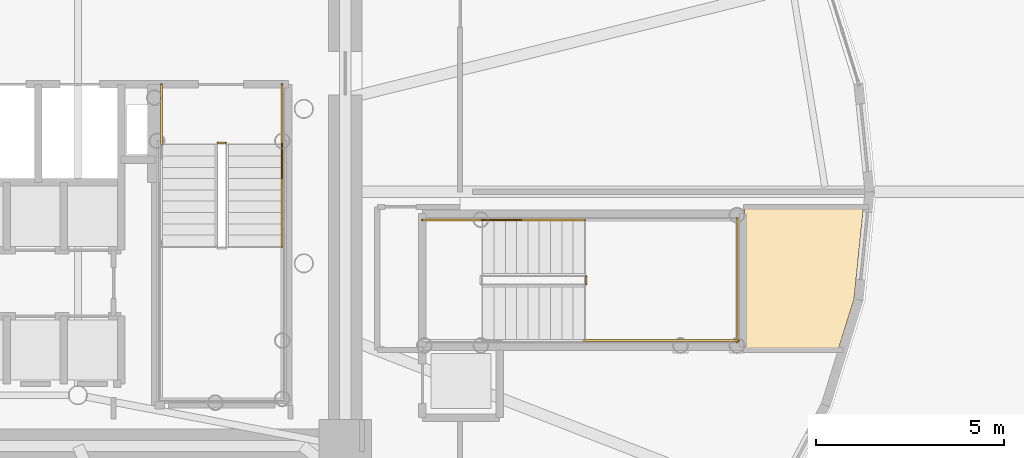
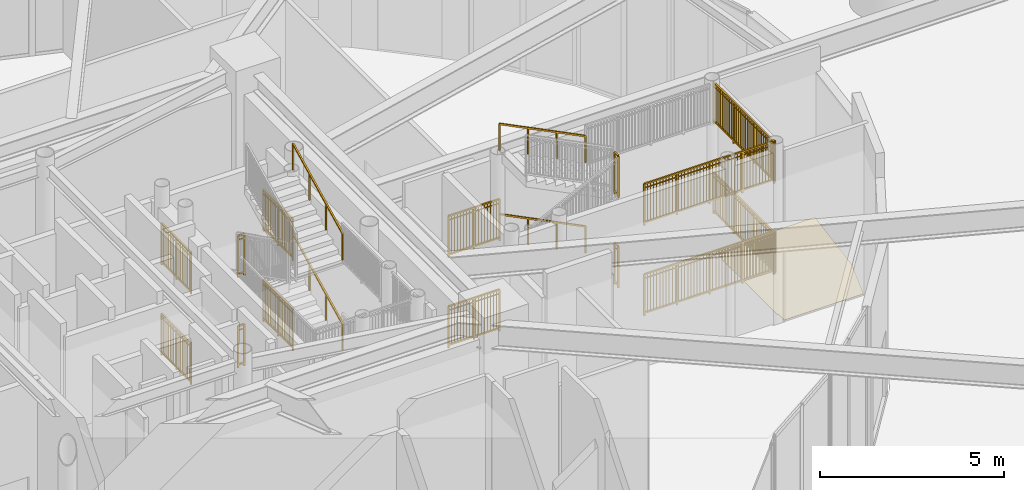
# One storey, part 43 of 46: 18 railings, 1 covering.
"""IFC4 building model written with IfcOpenShell, lengths in metres."""

from ifc_helpers import new_model, si_unit, direction, frame, origin, origin_2d, place, context, subcontext, project, spatial, polyline, rectangle, outline, extrude, source, transform, mapped, material, layer, layer_set, type_object, element, save


model = new_model("IFC4")

# Units and contexts
model_context = context("Model", 3, precision=1e-05, world=origin(), true_north=direction((0.0, 1.0)))
body_context = subcontext(model_context, "Body", "Model", "MODEL_VIEW")
ifc_project = project(units=[si_unit("LENGTHUNIT", "METRE"), si_unit("AREAUNIT", "SQUARE_METRE"), si_unit("VOLUMEUNIT", "CUBIC_METRE"), si_unit("PLANEANGLEUNIT", "RADIAN"), si_unit("MASSUNIT", "GRAM", prefix="KILO")], contexts=[model_context])

# Site, building, storey
site_placement = place(None, origin())
site = spatial("IfcSite", under=ifc_project, at=site_placement, CompositionType="ELEMENT")
building_placement = place(site_placement, origin())
building = spatial("IfcBuilding", under=site, at=building_placement, Name="Linh Dai School and Residence Tower", CompositionType="ELEMENT")
storey_placement = place(building_placement, origin())
storey = spatial("IfcBuildingStorey", under=building, at=storey_placement, Name="L00", CompositionType="ELEMENT", Elevation=0.0)

# Covering
ifc_material_1 = material(Name="Polished Terrazzo Floor Finish", Category="masonry")
ifc_layer = layer(ifc_material_1, 0.02490234375)
ifc_layer_set = layer_set([ifc_layer], Name="Polished Terrazzo Floor Finish")
covering_type = type_object("IfcCoveringType", Name="COV-FLR-TRZ-25", PredefinedType="FLOORING", material=ifc_layer_set)
covering_placement = place(storey_placement, origin())
element("IfcCovering", 1, at=covering_placement, inside=storey, type_object=covering_type, Name="L00 Protected Exit Stair STS2 Discharge Passage East Floor Finish", PredefinedType="FLOORING", context=body_context, shape_type="SweptSolid", body=[
    extrude(outline(polyline([(56.55322265625, 26.60009765625), (59.709228515625, 26.60009765625), (59.459716796875, 24.15625), (59.037109375, 22.800048828125), (56.55322265625, 22.800048828125), (56.55322265625, 23.123291015625), (56.52001953125, 23.123291015625), (56.52001953125, 26.1767578125), (56.55322265625, 26.1767578125), (56.55322265625, 26.60009765625)])), origin(), (0.0, 0.0, 1.0), 0.02001953125),
])

# Railings
ifc_material_2 = material(Name="Brushed Stainless Steel Handrail", Category="steel")
railing_type_1 = type_object("IfcRailingType", Name="RL-ST-HANDRAIL-900", PredefinedType="HANDRAIL", material=ifc_material_2)
shared_shape_1 = source(origin(), body_context, "Body", "SweptSolid", [
    extrude(rectangle(XDim=0.048095703125, YDim=0.048095703125, at=origin_2d()), frame((0.0, 0.0, 0.8759765625), z_axis=(0.0, 0.894411015155, 0.447245945728), x_axis=(-1.0, 0.0, 0.0)), (0.0, 0.0, 1.0), 3.018798828125),
    extrude(rectangle(XDim=0.0419921875, YDim=0.0419921875, at=origin_2d()), origin(), (0.0, 0.0, 1.0), 0.8759765625),
    extrude(rectangle(XDim=0.0419921875, YDim=0.0419921875, at=origin_2d()), frame((0.0, 0.89990234375, 0.449951171875)), (0.0, 0.0, 1.0), 0.8759765625),
    extrude(rectangle(XDim=0.0419921875, YDim=0.0419921875, at=origin_2d()), frame((0.0, 1.800048828125, 0.900146484375)), (0.0, 0.0, 1.0), 0.8759765625),
    extrude(rectangle(XDim=0.0419921875, YDim=0.0419921875, at=origin_2d()), frame((0.0, 2.699951171875, 1.35009765625)), (0.0, 0.0, 1.0), 0.8759765625),
])
for number, where, name in (
    (2, (44.27001953125, 25.550048828125, 1.64990234375), "L00 ST2 stair handrail 2"),
    (3, (44.27001953125, 25.550048828125, 4.64990234375), "L00 ST2 stair handrail 4"),
):
    element("IfcRailing", number, at=place(storey_placement, frame(where)), inside=storey, type_object=railing_type_1, Name=name, PredefinedType="HANDRAIL", context=body_context, shape_type="MappedRepresentation", body=[
        mapped(shared_shape_1, transform((0.0, 0.0, 0.0), x_axis=(1.0, 0.0, 0.0), y_axis=(0.0, 1.0, 0.0), z_axis=(0.0, 0.0, 1.0), scale=1.0)),
    ])
ifc_material_3 = material(Name="Structural Steel S355JR", Category="steel")
railing_type_2 = type_object("IfcRailingType", Name="RL-ST-GUARD-1400", PredefinedType="GUARDRAIL", material=ifc_material_3)
shared_shape_2 = source(origin(), body_context, "Body", "SweptSolid", [
    extrude(rectangle(XDim=0.048095703125, YDim=0.048095703125, at=origin_2d()), frame((0.0, 0.0, 1.3759765625), z_axis=(1.0, 0.0, 0.0), x_axis=(0.0, 1.0, 0.0)), (0.0, 0.0, 1.0), 0.199951171875),
    extrude(rectangle(XDim=0.048095703125, YDim=0.048095703125, at=origin_2d()), frame((0.0, 0.0, 0.10009765625), z_axis=(1.0, 0.0, 0.0), x_axis=(0.0, 1.0, 0.0)), (0.0, 0.0, 1.0), 0.199951171875),
    extrude(rectangle(XDim=0.030029296875, YDim=0.030029296875, at=origin_2d()), frame((0.0, 0.0, 1.239990234375), z_axis=(1.0, 0.0, 0.0), x_axis=(0.0, 1.0, 0.0)), (0.0, 0.0, 1.0), 0.199951171875),
    extrude(rectangle(XDim=0.0419921875, YDim=0.0419921875, at=origin_2d()), origin(), (0.0, 0.0, 1.0), 1.3759765625),
    extrude(rectangle(XDim=0.0419921875, YDim=0.0419921875, at=origin_2d()), frame((0.199951171875, 0.0, 0.0)), (0.0, 0.0, 1.0), 1.3759765625),
])
for number, where, name in (
    (4, (42.570068359375, 28.300048828125, 3.0), "L00 ST2 stair guard 7"),
    (5, (42.570068359375, 28.300048828125, 0.0), "L00 ST2 stair guard 16"),
):
    element("IfcRailing", number, at=place(storey_placement, frame(where)), inside=storey, type_object=railing_type_2, Name=name, PredefinedType="GUARDRAIL", context=body_context, shape_type="MappedRepresentation", body=[
        mapped(shared_shape_2, transform((0.0, 0.0, 0.0), x_axis=(1.0, 0.0, 0.0), y_axis=(0.0, 1.0, 0.0), z_axis=(0.0, 0.0, 1.0), scale=1.0)),
    ])
shared_shape_3 = source(origin(), body_context, "Body", "SweptSolid", [
    extrude(rectangle(XDim=0.048095703125, YDim=0.048095703125, at=origin_2d()), frame((0.0, 0.0, 1.3759765625), z_axis=(0.0, -1.0, 0.0), x_axis=(1.0, 0.0, 0.0)), (0.0, 0.0, 1.0), 1.60009765625),
    extrude(rectangle(XDim=0.048095703125, YDim=0.048095703125, at=origin_2d()), frame((0.0, 0.0, 0.10009765625), z_axis=(0.0, -1.0, 0.0), x_axis=(1.0, 0.0, 0.0)), (0.0, 0.0, 1.0), 1.60009765625),
    extrude(rectangle(XDim=0.030029296875, YDim=0.030029296875, at=origin_2d()), frame((0.0, 0.0, 1.239990234375), z_axis=(0.0, -1.0, 0.0), x_axis=(1.0, 0.0, 0.0)), (0.0, 0.0, 1.0), 1.60009765625),
    extrude(rectangle(XDim=0.02001953125, YDim=0.02001953125, at=origin_2d()), frame((0.0, -0.09423828125, 0.10009765625)), (0.0, 0.0, 1.0), 1.251708984375),
    extrude(rectangle(XDim=0.02001953125, YDim=0.02001953125, at=origin_2d()), frame((0.0, -0.188232421875, 0.10009765625)), (0.0, 0.0, 1.0), 1.251708984375),
    extrude(rectangle(XDim=0.02001953125, YDim=0.02001953125, at=origin_2d()), frame((0.0, -0.282470703125, 0.10009765625)), (0.0, 0.0, 1.0), 1.251708984375),
    extrude(rectangle(XDim=0.02001953125, YDim=0.02001953125, at=origin_2d()), frame((0.0, -0.37646484375, 0.10009765625)), (0.0, 0.0, 1.0), 1.251708984375),
    extrude(rectangle(XDim=0.02001953125, YDim=0.02001953125, at=origin_2d()), frame((0.0, -0.470703125, 0.10009765625)), (0.0, 0.0, 1.0), 1.251708984375),
    extrude(rectangle(XDim=0.02001953125, YDim=0.02001953125, at=origin_2d()), frame((0.0, -0.564697265625, 0.10009765625)), (0.0, 0.0, 1.0), 1.251708984375),
    extrude(rectangle(XDim=0.02001953125, YDim=0.02001953125, at=origin_2d()), frame((0.0, -0.658935546875, 0.10009765625)), (0.0, 0.0, 1.0), 1.251708984375),
    extrude(rectangle(XDim=0.02001953125, YDim=0.02001953125, at=origin_2d()), frame((0.0, -0.7529296875, 0.10009765625)), (0.0, 0.0, 1.0), 1.251708984375),
    extrude(rectangle(XDim=0.02001953125, YDim=0.02001953125, at=origin_2d()), frame((0.0, -0.84716796875, 0.10009765625)), (0.0, 0.0, 1.0), 1.251708984375),
    extrude(rectangle(XDim=0.02001953125, YDim=0.02001953125, at=origin_2d()), frame((0.0, -0.941162109375, 0.10009765625)), (0.0, 0.0, 1.0), 1.251708984375),
    extrude(rectangle(XDim=0.02001953125, YDim=0.02001953125, at=origin_2d()), frame((0.0, -1.035400390625, 0.10009765625)), (0.0, 0.0, 1.0), 1.251708984375),
    extrude(rectangle(XDim=0.02001953125, YDim=0.02001953125, at=origin_2d()), frame((0.0, -1.12939453125, 0.10009765625)), (0.0, 0.0, 1.0), 1.251708984375),
    extrude(rectangle(XDim=0.02001953125, YDim=0.02001953125, at=origin_2d()), frame((0.0, -1.2236328125, 0.10009765625)), (0.0, 0.0, 1.0), 1.251708984375),
    extrude(rectangle(XDim=0.02001953125, YDim=0.02001953125, at=origin_2d()), frame((0.0, -1.317626953125, 0.10009765625)), (0.0, 0.0, 1.0), 1.251708984375),
    extrude(rectangle(XDim=0.02001953125, YDim=0.02001953125, at=origin_2d()), frame((0.0, -1.411865234375, 0.10009765625)), (0.0, 0.0, 1.0), 1.251708984375),
    extrude(rectangle(XDim=0.02001953125, YDim=0.02001953125, at=origin_2d()), frame((0.0, -1.505859375, 0.10009765625)), (0.0, 0.0, 1.0), 1.251708984375),
    extrude(rectangle(XDim=0.0419921875, YDim=0.0419921875, at=origin_2d()), origin(), (0.0, 0.0, 1.0), 1.3759765625),
    extrude(rectangle(XDim=0.0419921875, YDim=0.0419921875, at=origin_2d()), frame((0.0, -0.800048828125, 0.0)), (0.0, 0.0, 1.0), 1.3759765625),
    extrude(rectangle(XDim=0.0419921875, YDim=0.0419921875, at=origin_2d()), frame((0.0, -1.60009765625, 0.0)), (0.0, 0.0, 1.0), 1.3759765625),
])
for number, where, name in (
    (6, (41.070068359375, 29.85009765625, 3.0), "L00 ST2 stair guard 8"),
    (7, (44.27001953125, 29.85009765625, 3.0), "L00 ST2 stair guard 9"),
    (8, (41.070068359375, 29.85009765625, 0.0), "L00 ST2 stair guard 17"),
    (9, (44.27001953125, 29.85009765625, 0.0), "L00 ST2 stair guard 18"),
):
    element("IfcRailing", number, at=place(storey_placement, frame(where)), inside=storey, type_object=railing_type_2, Name=name, PredefinedType="GUARDRAIL", context=body_context, shape_type="MappedRepresentation", body=[
        mapped(shared_shape_3, transform((0.0, 0.0, 0.0), x_axis=(1.0, 0.0, 0.0), y_axis=(0.0, 1.0, 0.0), z_axis=(0.0, 0.0, 1.0), scale=1.0)),
    ])
shared_shape_4 = source(origin(), body_context, "Body", "SweptSolid", [
    extrude(rectangle(XDim=0.048095703125, YDim=0.048095703125, at=origin_2d()), frame((0.0, 0.0, 0.8759765625), z_axis=(-0.894411015155, 0.0, 0.447245945728), x_axis=(0.0, -1.0, 0.0)), (0.0, 0.0, 1.0), 3.018798828125),
    extrude(rectangle(XDim=0.0419921875, YDim=0.0419921875, at=origin_2d()), origin(), (0.0, 0.0, 1.0), 0.8759765625),
    extrude(rectangle(XDim=0.0419921875, YDim=0.0419921875, at=origin_2d()), frame((-0.89990234375, 0.0, 0.449951171875)), (0.0, 0.0, 1.0), 0.8759765625),
    extrude(rectangle(XDim=0.0419921875, YDim=0.0419921875, at=origin_2d()), frame((-1.800048828125, 0.0, 0.900146484375)), (0.0, 0.0, 1.0), 0.8759765625),
    extrude(rectangle(XDim=0.0419921875, YDim=0.0419921875, at=origin_2d()), frame((-2.699951171875, 0.0, 1.35009765625)), (0.0, 0.0, 1.0), 0.8759765625),
])
for number, where, name in (
    (10, (52.300048828125, 26.25, 1.64990234375), "L00 STS2 stair handrail 2"),
    (11, (52.300048828125, 26.25, 4.64990234375), "L00 STS2 stair handrail 4"),
):
    element("IfcRailing", number, at=place(storey_placement, frame(where)), inside=storey, type_object=railing_type_1, Name=name, PredefinedType="HANDRAIL", context=body_context, shape_type="MappedRepresentation", body=[
        mapped(shared_shape_4, transform((0.0, 0.0, 0.0), x_axis=(1.0, 0.0, 0.0), y_axis=(0.0, 1.0, 0.0), z_axis=(0.0, 0.0, 1.0), scale=1.0)),
    ])
shared_shape_5 = source(origin(), body_context, "Body", "SweptSolid", [
    extrude(rectangle(XDim=0.048095703125, YDim=0.048095703125, at=origin_2d()), frame((0.0, 0.0, 1.3759765625), z_axis=(0.0, 1.0, 0.0), x_axis=(-1.0, 0.0, 0.0)), (0.0, 0.0, 1.0), 0.199951171875),
    extrude(rectangle(XDim=0.048095703125, YDim=0.048095703125, at=origin_2d()), frame((0.0, 0.0, 0.10009765625), z_axis=(0.0, 1.0, 0.0), x_axis=(-1.0, 0.0, 0.0)), (0.0, 0.0, 1.0), 0.199951171875),
    extrude(rectangle(XDim=0.030029296875, YDim=0.030029296875, at=origin_2d()), frame((0.0, 0.0, 1.239990234375), z_axis=(0.0, 1.0, 0.0), x_axis=(-1.0, 0.0, 0.0)), (0.0, 0.0, 1.0), 0.199951171875),
    extrude(rectangle(XDim=0.0419921875, YDim=0.0419921875, at=origin_2d()), origin(), (0.0, 0.0, 1.0), 1.3759765625),
    extrude(rectangle(XDim=0.0419921875, YDim=0.0419921875, at=origin_2d()), frame((0.0, 0.199951171875, 0.0)), (0.0, 0.0, 1.0), 1.3759765625),
])
for number, where, name in (
    (12, (52.35009765625, 24.550048828125, 1.5), "L00 STS2 stair guard 2"),
    (13, (52.35009765625, 24.550048828125, 4.5), "L00 STS2 stair guard 11"),
):
    element("IfcRailing", number, at=place(storey_placement, frame(where)), inside=storey, type_object=railing_type_2, Name=name, PredefinedType="GUARDRAIL", context=body_context, shape_type="MappedRepresentation", body=[
        mapped(shared_shape_5, transform((0.0, 0.0, 0.0), x_axis=(1.0, 0.0, 0.0), y_axis=(0.0, 1.0, 0.0), z_axis=(0.0, 0.0, 1.0), scale=1.0)),
    ])
shared_shape_6 = source(origin(), body_context, "Body", "SweptSolid", [
    extrude(rectangle(XDim=0.048095703125, YDim=0.048095703125, at=origin_2d()), frame((0.0, 0.0, 1.3759765625), z_axis=(1.0, 0.0, 0.0), x_axis=(0.0, 1.0, 0.0)), (0.0, 0.0, 1.0), 4.099853515625),
    extrude(rectangle(XDim=0.048095703125, YDim=0.048095703125, at=origin_2d()), frame((0.0, 0.0, 0.10009765625), z_axis=(1.0, 0.0, 0.0), x_axis=(0.0, 1.0, 0.0)), (0.0, 0.0, 1.0), 4.099853515625),
    extrude(rectangle(XDim=0.030029296875, YDim=0.030029296875, at=origin_2d()), frame((0.0, 0.0, 1.239990234375), z_axis=(1.0, 0.0, 0.0), x_axis=(0.0, 1.0, 0.0)), (0.0, 0.0, 1.0), 4.099853515625),
    extrude(rectangle(XDim=0.02001953125, YDim=0.02001953125, at=origin_2d()), frame((0.09765625, 0.0, 0.10009765625)), (0.0, 0.0, 1.0), 1.251708984375),
    extrude(rectangle(XDim=0.02001953125, YDim=0.02001953125, at=origin_2d()), frame((0.1953125, 0.0, 0.10009765625)), (0.0, 0.0, 1.0), 1.251708984375),
    extrude(rectangle(XDim=0.02001953125, YDim=0.02001953125, at=origin_2d()), frame((0.29296875, 0.0, 0.10009765625)), (0.0, 0.0, 1.0), 1.251708984375),
    extrude(rectangle(XDim=0.02001953125, YDim=0.02001953125, at=origin_2d()), frame((0.390380859375, 0.0, 0.10009765625)), (0.0, 0.0, 1.0), 1.251708984375),
    extrude(rectangle(XDim=0.02001953125, YDim=0.02001953125, at=origin_2d()), frame((0.488037109375, 0.0, 0.10009765625)), (0.0, 0.0, 1.0), 1.251708984375),
    extrude(rectangle(XDim=0.02001953125, YDim=0.02001953125, at=origin_2d()), frame((0.585693359375, 0.0, 0.10009765625)), (0.0, 0.0, 1.0), 1.251708984375),
    extrude(rectangle(XDim=0.02001953125, YDim=0.02001953125, at=origin_2d()), frame((0.683349609375, 0.0, 0.10009765625)), (0.0, 0.0, 1.0), 1.251708984375),
    extrude(rectangle(XDim=0.02001953125, YDim=0.02001953125, at=origin_2d()), frame((0.781005859375, 0.0, 0.10009765625)), (0.0, 0.0, 1.0), 1.251708984375),
    extrude(rectangle(XDim=0.02001953125, YDim=0.02001953125, at=origin_2d()), frame((0.87841796875, 0.0, 0.10009765625)), (0.0, 0.0, 1.0), 1.251708984375),
    extrude(rectangle(XDim=0.02001953125, YDim=0.02001953125, at=origin_2d()), frame((0.97607421875, 0.0, 0.10009765625)), (0.0, 0.0, 1.0), 1.251708984375),
    extrude(rectangle(XDim=0.02001953125, YDim=0.02001953125, at=origin_2d()), frame((1.07373046875, 0.0, 0.10009765625)), (0.0, 0.0, 1.0), 1.251708984375),
    extrude(rectangle(XDim=0.02001953125, YDim=0.02001953125, at=origin_2d()), frame((1.17138671875, 0.0, 0.10009765625)), (0.0, 0.0, 1.0), 1.251708984375),
    extrude(rectangle(XDim=0.02001953125, YDim=0.02001953125, at=origin_2d()), frame((1.26904296875, 0.0, 0.10009765625)), (0.0, 0.0, 1.0), 1.251708984375),
    extrude(rectangle(XDim=0.02001953125, YDim=0.02001953125, at=origin_2d()), frame((1.36669921875, 0.0, 0.10009765625)), (0.0, 0.0, 1.0), 1.251708984375),
    extrude(rectangle(XDim=0.02001953125, YDim=0.02001953125, at=origin_2d()), frame((1.46435546875, 0.0, 0.10009765625)), (0.0, 0.0, 1.0), 1.251708984375),
    extrude(rectangle(XDim=0.02001953125, YDim=0.02001953125, at=origin_2d()), frame((1.561767578125, 0.0, 0.10009765625)), (0.0, 0.0, 1.0), 1.251708984375),
    extrude(rectangle(XDim=0.02001953125, YDim=0.02001953125, at=origin_2d()), frame((1.659423828125, 0.0, 0.10009765625)), (0.0, 0.0, 1.0), 1.251708984375),
    extrude(rectangle(XDim=0.02001953125, YDim=0.02001953125, at=origin_2d()), frame((1.757080078125, 0.0, 0.10009765625)), (0.0, 0.0, 1.0), 1.251708984375),
    extrude(rectangle(XDim=0.02001953125, YDim=0.02001953125, at=origin_2d()), frame((1.854736328125, 0.0, 0.10009765625)), (0.0, 0.0, 1.0), 1.251708984375),
    extrude(rectangle(XDim=0.02001953125, YDim=0.02001953125, at=origin_2d()), frame((1.952392578125, 0.0, 0.10009765625)), (0.0, 0.0, 1.0), 1.251708984375),
    extrude(rectangle(XDim=0.02001953125, YDim=0.02001953125, at=origin_2d()), frame((2.1474609375, 0.0, 0.10009765625)), (0.0, 0.0, 1.0), 1.251708984375),
    extrude(rectangle(XDim=0.02001953125, YDim=0.02001953125, at=origin_2d()), frame((2.2451171875, 0.0, 0.10009765625)), (0.0, 0.0, 1.0), 1.251708984375),
    extrude(rectangle(XDim=0.02001953125, YDim=0.02001953125, at=origin_2d()), frame((2.3427734375, 0.0, 0.10009765625)), (0.0, 0.0, 1.0), 1.251708984375),
    extrude(rectangle(XDim=0.02001953125, YDim=0.02001953125, at=origin_2d()), frame((2.4404296875, 0.0, 0.10009765625)), (0.0, 0.0, 1.0), 1.251708984375),
    extrude(rectangle(XDim=0.02001953125, YDim=0.02001953125, at=origin_2d()), frame((2.5380859375, 0.0, 0.10009765625)), (0.0, 0.0, 1.0), 1.251708984375),
    extrude(rectangle(XDim=0.02001953125, YDim=0.02001953125, at=origin_2d()), frame((2.6357421875, 0.0, 0.10009765625)), (0.0, 0.0, 1.0), 1.251708984375),
    extrude(rectangle(XDim=0.02001953125, YDim=0.02001953125, at=origin_2d()), frame((2.733154296875, 0.0, 0.10009765625)), (0.0, 0.0, 1.0), 1.251708984375),
    extrude(rectangle(XDim=0.02001953125, YDim=0.02001953125, at=origin_2d()), frame((2.830810546875, 0.0, 0.10009765625)), (0.0, 0.0, 1.0), 1.251708984375),
    extrude(rectangle(XDim=0.02001953125, YDim=0.02001953125, at=origin_2d()), frame((2.928466796875, 0.0, 0.10009765625)), (0.0, 0.0, 1.0), 1.251708984375),
    extrude(rectangle(XDim=0.02001953125, YDim=0.02001953125, at=origin_2d()), frame((3.026123046875, 0.0, 0.10009765625)), (0.0, 0.0, 1.0), 1.251708984375),
    extrude(rectangle(XDim=0.02001953125, YDim=0.02001953125, at=origin_2d()), frame((3.123779296875, 0.0, 0.10009765625)), (0.0, 0.0, 1.0), 1.251708984375),
    extrude(rectangle(XDim=0.02001953125, YDim=0.02001953125, at=origin_2d()), frame((3.22119140625, 0.0, 0.10009765625)), (0.0, 0.0, 1.0), 1.251708984375),
    extrude(rectangle(XDim=0.02001953125, YDim=0.02001953125, at=origin_2d()), frame((3.31884765625, 0.0, 0.10009765625)), (0.0, 0.0, 1.0), 1.251708984375),
    extrude(rectangle(XDim=0.02001953125, YDim=0.02001953125, at=origin_2d()), frame((3.41650390625, 0.0, 0.10009765625)), (0.0, 0.0, 1.0), 1.251708984375),
    extrude(rectangle(XDim=0.02001953125, YDim=0.02001953125, at=origin_2d()), frame((3.51416015625, 0.0, 0.10009765625)), (0.0, 0.0, 1.0), 1.251708984375),
    extrude(rectangle(XDim=0.02001953125, YDim=0.02001953125, at=origin_2d()), frame((3.61181640625, 0.0, 0.10009765625)), (0.0, 0.0, 1.0), 1.251708984375),
    extrude(rectangle(XDim=0.02001953125, YDim=0.02001953125, at=origin_2d()), frame((3.70947265625, 0.0, 0.10009765625)), (0.0, 0.0, 1.0), 1.251708984375),
    extrude(rectangle(XDim=0.02001953125, YDim=0.02001953125, at=origin_2d()), frame((3.80712890625, 0.0, 0.10009765625)), (0.0, 0.0, 1.0), 1.251708984375),
    extrude(rectangle(XDim=0.02001953125, YDim=0.02001953125, at=origin_2d()), frame((3.904541015625, 0.0, 0.10009765625)), (0.0, 0.0, 1.0), 1.251708984375),
    extrude(rectangle(XDim=0.02001953125, YDim=0.02001953125, at=origin_2d()), frame((4.002197265625, 0.0, 0.10009765625)), (0.0, 0.0, 1.0), 1.251708984375),
    extrude(rectangle(XDim=0.0419921875, YDim=0.0419921875, at=origin_2d()), origin(), (0.0, 0.0, 1.0), 1.3759765625),
    extrude(rectangle(XDim=0.0419921875, YDim=0.0419921875, at=origin_2d()), frame((1.02490234375, 0.0, 0.0)), (0.0, 0.0, 1.0), 1.3759765625),
    extrude(rectangle(XDim=0.0419921875, YDim=0.0419921875, at=origin_2d()), frame((2.0498046875, 0.0, 0.0)), (0.0, 0.0, 1.0), 1.3759765625),
    extrude(rectangle(XDim=0.0419921875, YDim=0.0419921875, at=origin_2d()), frame((3.074951171875, 0.0, 0.0)), (0.0, 0.0, 1.0), 1.3759765625),
    extrude(rectangle(XDim=0.0419921875, YDim=0.0419921875, at=origin_2d()), frame((4.099853515625, 0.0, 0.0)), (0.0, 0.0, 1.0), 1.3759765625),
])
for number, where, name in (
    (14, (52.300048828125, 23.050048828125, 1.5), "L00 STS2 stair guard 3"),
    (15, (52.300048828125, 23.050048828125, 4.5), "L00 STS2 stair guard 12"),
):
    element("IfcRailing", number, at=place(storey_placement, frame(where)), inside=storey, type_object=railing_type_2, Name=name, PredefinedType="GUARDRAIL", context=body_context, shape_type="MappedRepresentation", body=[
        mapped(shared_shape_6, transform((0.0, 0.0, 0.0), x_axis=(1.0, 0.0, 0.0), y_axis=(0.0, 1.0, 0.0), z_axis=(0.0, 0.0, 1.0), scale=1.0)),
    ])
shared_shape_7 = source(origin(), body_context, "Body", "SweptSolid", [
    extrude(rectangle(XDim=0.048095703125, YDim=0.048095703125, at=origin_2d()), frame((0.0, 0.0, 1.3759765625), z_axis=(0.0, 1.0, 0.0), x_axis=(-1.0, 0.0, 0.0)), (0.0, 0.0, 1.0), 3.300048828125),
    extrude(rectangle(XDim=0.048095703125, YDim=0.048095703125, at=origin_2d()), frame((0.0, 0.0, 0.10009765625), z_axis=(0.0, 1.0, 0.0), x_axis=(-1.0, 0.0, 0.0)), (0.0, 0.0, 1.0), 3.300048828125),
    extrude(rectangle(XDim=0.030029296875, YDim=0.030029296875, at=origin_2d()), frame((0.0, 0.0, 1.239990234375), z_axis=(0.0, 1.0, 0.0), x_axis=(-1.0, 0.0, 0.0)), (0.0, 0.0, 1.0), 3.300048828125),
    extrude(rectangle(XDim=0.02001953125, YDim=0.02001953125, at=origin_2d()), frame((0.0, 0.09716796875, 0.10009765625)), (0.0, 0.0, 1.0), 1.251708984375),
    extrude(rectangle(XDim=0.02001953125, YDim=0.02001953125, at=origin_2d()), frame((0.0, 0.194091796875, 0.10009765625)), (0.0, 0.0, 1.0), 1.251708984375),
    extrude(rectangle(XDim=0.02001953125, YDim=0.02001953125, at=origin_2d()), frame((0.0, 0.291259765625, 0.10009765625)), (0.0, 0.0, 1.0), 1.251708984375),
    extrude(rectangle(XDim=0.02001953125, YDim=0.02001953125, at=origin_2d()), frame((0.0, 0.38818359375, 0.10009765625)), (0.0, 0.0, 1.0), 1.251708984375),
    extrude(rectangle(XDim=0.02001953125, YDim=0.02001953125, at=origin_2d()), frame((0.0, 0.4853515625, 0.10009765625)), (0.0, 0.0, 1.0), 1.251708984375),
    extrude(rectangle(XDim=0.02001953125, YDim=0.02001953125, at=origin_2d()), frame((0.0, 0.582275390625, 0.10009765625)), (0.0, 0.0, 1.0), 1.251708984375),
    extrude(rectangle(XDim=0.02001953125, YDim=0.02001953125, at=origin_2d()), frame((0.0, 0.679443359375, 0.10009765625)), (0.0, 0.0, 1.0), 1.251708984375),
    extrude(rectangle(XDim=0.02001953125, YDim=0.02001953125, at=origin_2d()), frame((0.0, 0.7763671875, 0.10009765625)), (0.0, 0.0, 1.0), 1.251708984375),
    extrude(rectangle(XDim=0.02001953125, YDim=0.02001953125, at=origin_2d()), frame((0.0, 0.87353515625, 0.10009765625)), (0.0, 0.0, 1.0), 1.251708984375),
    extrude(rectangle(XDim=0.02001953125, YDim=0.02001953125, at=origin_2d()), frame((0.0, 0.970703125, 0.10009765625)), (0.0, 0.0, 1.0), 1.251708984375),
    extrude(rectangle(XDim=0.02001953125, YDim=0.02001953125, at=origin_2d()), frame((0.0, 1.164794921875, 0.10009765625)), (0.0, 0.0, 1.0), 1.251708984375),
    extrude(rectangle(XDim=0.02001953125, YDim=0.02001953125, at=origin_2d()), frame((0.0, 1.26171875, 0.10009765625)), (0.0, 0.0, 1.0), 1.251708984375),
    extrude(rectangle(XDim=0.02001953125, YDim=0.02001953125, at=origin_2d()), frame((0.0, 1.35888671875, 0.10009765625)), (0.0, 0.0, 1.0), 1.251708984375),
    extrude(rectangle(XDim=0.02001953125, YDim=0.02001953125, at=origin_2d()), frame((0.0, 1.455810546875, 0.10009765625)), (0.0, 0.0, 1.0), 1.251708984375),
    extrude(rectangle(XDim=0.02001953125, YDim=0.02001953125, at=origin_2d()), frame((0.0, 1.552978515625, 0.10009765625)), (0.0, 0.0, 1.0), 1.251708984375),
    extrude(rectangle(XDim=0.02001953125, YDim=0.02001953125, at=origin_2d()), frame((0.0, 1.64990234375, 0.10009765625)), (0.0, 0.0, 1.0), 1.251708984375),
    extrude(rectangle(XDim=0.02001953125, YDim=0.02001953125, at=origin_2d()), frame((0.0, 1.7470703125, 0.10009765625)), (0.0, 0.0, 1.0), 1.251708984375),
    extrude(rectangle(XDim=0.02001953125, YDim=0.02001953125, at=origin_2d()), frame((0.0, 1.84423828125, 0.10009765625)), (0.0, 0.0, 1.0), 1.251708984375),
    extrude(rectangle(XDim=0.02001953125, YDim=0.02001953125, at=origin_2d()), frame((0.0, 1.941162109375, 0.10009765625)), (0.0, 0.0, 1.0), 1.251708984375),
    extrude(rectangle(XDim=0.02001953125, YDim=0.02001953125, at=origin_2d()), frame((0.0, 2.038330078125, 0.10009765625)), (0.0, 0.0, 1.0), 1.251708984375),
    extrude(rectangle(XDim=0.02001953125, YDim=0.02001953125, at=origin_2d()), frame((0.0, 2.13525390625, 0.10009765625)), (0.0, 0.0, 1.0), 1.251708984375),
    extrude(rectangle(XDim=0.02001953125, YDim=0.02001953125, at=origin_2d()), frame((0.0, 2.329345703125, 0.10009765625)), (0.0, 0.0, 1.0), 1.251708984375),
    extrude(rectangle(XDim=0.02001953125, YDim=0.02001953125, at=origin_2d()), frame((0.0, 2.426513671875, 0.10009765625)), (0.0, 0.0, 1.0), 1.251708984375),
    extrude(rectangle(XDim=0.02001953125, YDim=0.02001953125, at=origin_2d()), frame((0.0, 2.523681640625, 0.10009765625)), (0.0, 0.0, 1.0), 1.251708984375),
    extrude(rectangle(XDim=0.02001953125, YDim=0.02001953125, at=origin_2d()), frame((0.0, 2.62060546875, 0.10009765625)), (0.0, 0.0, 1.0), 1.251708984375),
    extrude(rectangle(XDim=0.02001953125, YDim=0.02001953125, at=origin_2d()), frame((0.0, 2.7177734375, 0.10009765625)), (0.0, 0.0, 1.0), 1.251708984375),
    extrude(rectangle(XDim=0.02001953125, YDim=0.02001953125, at=origin_2d()), frame((0.0, 2.814697265625, 0.10009765625)), (0.0, 0.0, 1.0), 1.251708984375),
    extrude(rectangle(XDim=0.02001953125, YDim=0.02001953125, at=origin_2d()), frame((0.0, 2.911865234375, 0.10009765625)), (0.0, 0.0, 1.0), 1.251708984375),
    extrude(rectangle(XDim=0.02001953125, YDim=0.02001953125, at=origin_2d()), frame((0.0, 3.0087890625, 0.10009765625)), (0.0, 0.0, 1.0), 1.251708984375),
    extrude(rectangle(XDim=0.02001953125, YDim=0.02001953125, at=origin_2d()), frame((0.0, 3.10595703125, 0.10009765625)), (0.0, 0.0, 1.0), 1.251708984375),
    extrude(rectangle(XDim=0.02001953125, YDim=0.02001953125, at=origin_2d()), frame((0.0, 3.202880859375, 0.10009765625)), (0.0, 0.0, 1.0), 1.251708984375),
    extrude(rectangle(XDim=0.0419921875, YDim=0.0419921875, at=origin_2d()), origin(), (0.0, 0.0, 1.0), 1.3759765625),
    extrude(rectangle(XDim=0.0419921875, YDim=0.0419921875, at=origin_2d()), frame((0.0, 1.10009765625, 0.0)), (0.0, 0.0, 1.0), 1.3759765625),
    extrude(rectangle(XDim=0.0419921875, YDim=0.0419921875, at=origin_2d()), frame((0.0, 2.199951171875, 0.0)), (0.0, 0.0, 1.0), 1.3759765625),
    extrude(rectangle(XDim=0.0419921875, YDim=0.0419921875, at=origin_2d()), frame((0.0, 3.300048828125, 0.0)), (0.0, 0.0, 1.0), 1.3759765625),
])
for number, where, name in (
    (16, (56.35009765625, 23.0, 1.5), "L00 STS2 stair guard 5"),
    (17, (56.35009765625, 23.0, 4.5), "L00 STS2 stair guard 14"),
):
    element("IfcRailing", number, at=place(storey_placement, frame(where)), inside=storey, type_object=railing_type_2, Name=name, PredefinedType="GUARDRAIL", context=body_context, shape_type="MappedRepresentation", body=[
        mapped(shared_shape_7, transform((0.0, 0.0, 0.0), x_axis=(1.0, 0.0, 0.0), y_axis=(0.0, 1.0, 0.0), z_axis=(0.0, 0.0, 1.0), scale=1.0)),
    ])
shared_shape_8 = source(origin(), body_context, "Body", "SweptSolid", [
    extrude(rectangle(XDim=0.048095703125, YDim=0.048095703125, at=origin_2d()), frame((0.0, 0.0, 1.3759765625), z_axis=(1.0, 0.0, 0.0), x_axis=(0.0, 1.0, 0.0)), (0.0, 0.0, 1.0), 1.60009765625),
    extrude(rectangle(XDim=0.048095703125, YDim=0.048095703125, at=origin_2d()), frame((0.0, 0.0, 0.10009765625), z_axis=(1.0, 0.0, 0.0), x_axis=(0.0, 1.0, 0.0)), (0.0, 0.0, 1.0), 1.60009765625),
    extrude(rectangle(XDim=0.030029296875, YDim=0.030029296875, at=origin_2d()), frame((0.0, 0.0, 1.239990234375), z_axis=(1.0, 0.0, 0.0), x_axis=(0.0, 1.0, 0.0)), (0.0, 0.0, 1.0), 1.60009765625),
    extrude(rectangle(XDim=0.02001953125, YDim=0.02001953125, at=origin_2d()), frame((0.09423828125, 0.0, 0.10009765625)), (0.0, 0.0, 1.0), 1.251708984375),
    extrude(rectangle(XDim=0.02001953125, YDim=0.02001953125, at=origin_2d()), frame((0.188232421875, 0.0, 0.10009765625)), (0.0, 0.0, 1.0), 1.251708984375),
    extrude(rectangle(XDim=0.02001953125, YDim=0.02001953125, at=origin_2d()), frame((0.282470703125, 0.0, 0.10009765625)), (0.0, 0.0, 1.0), 1.251708984375),
    extrude(rectangle(XDim=0.02001953125, YDim=0.02001953125, at=origin_2d()), frame((0.37646484375, 0.0, 0.10009765625)), (0.0, 0.0, 1.0), 1.251708984375),
    extrude(rectangle(XDim=0.02001953125, YDim=0.02001953125, at=origin_2d()), frame((0.470703125, 0.0, 0.10009765625)), (0.0, 0.0, 1.0), 1.251708984375),
    extrude(rectangle(XDim=0.02001953125, YDim=0.02001953125, at=origin_2d()), frame((0.564697265625, 0.0, 0.10009765625)), (0.0, 0.0, 1.0), 1.251708984375),
    extrude(rectangle(XDim=0.02001953125, YDim=0.02001953125, at=origin_2d()), frame((0.658935546875, 0.0, 0.10009765625)), (0.0, 0.0, 1.0), 1.251708984375),
    extrude(rectangle(XDim=0.02001953125, YDim=0.02001953125, at=origin_2d()), frame((0.7529296875, 0.0, 0.10009765625)), (0.0, 0.0, 1.0), 1.251708984375),
    extrude(rectangle(XDim=0.02001953125, YDim=0.02001953125, at=origin_2d()), frame((0.84716796875, 0.0, 0.10009765625)), (0.0, 0.0, 1.0), 1.251708984375),
    extrude(rectangle(XDim=0.02001953125, YDim=0.02001953125, at=origin_2d()), frame((0.941162109375, 0.0, 0.10009765625)), (0.0, 0.0, 1.0), 1.251708984375),
    extrude(rectangle(XDim=0.02001953125, YDim=0.02001953125, at=origin_2d()), frame((1.035400390625, 0.0, 0.10009765625)), (0.0, 0.0, 1.0), 1.251708984375),
    extrude(rectangle(XDim=0.02001953125, YDim=0.02001953125, at=origin_2d()), frame((1.12939453125, 0.0, 0.10009765625)), (0.0, 0.0, 1.0), 1.251708984375),
    extrude(rectangle(XDim=0.02001953125, YDim=0.02001953125, at=origin_2d()), frame((1.2236328125, 0.0, 0.10009765625)), (0.0, 0.0, 1.0), 1.251708984375),
    extrude(rectangle(XDim=0.02001953125, YDim=0.02001953125, at=origin_2d()), frame((1.317626953125, 0.0, 0.10009765625)), (0.0, 0.0, 1.0), 1.251708984375),
    extrude(rectangle(XDim=0.02001953125, YDim=0.02001953125, at=origin_2d()), frame((1.411865234375, 0.0, 0.10009765625)), (0.0, 0.0, 1.0), 1.251708984375),
    extrude(rectangle(XDim=0.02001953125, YDim=0.02001953125, at=origin_2d()), frame((1.505859375, 0.0, 0.10009765625)), (0.0, 0.0, 1.0), 1.251708984375),
    extrude(rectangle(XDim=0.0419921875, YDim=0.0419921875, at=origin_2d()), origin(), (0.0, 0.0, 1.0), 1.3759765625),
    extrude(rectangle(XDim=0.0419921875, YDim=0.0419921875, at=origin_2d()), frame((0.800048828125, 0.0, 0.0)), (0.0, 0.0, 1.0), 1.3759765625),
    extrude(rectangle(XDim=0.0419921875, YDim=0.0419921875, at=origin_2d()), frame((1.60009765625, 0.0, 0.0)), (0.0, 0.0, 1.0), 1.3759765625),
])
for number, where, name in (
    (18, (48.0, 26.25, 3.0), "L00 STS2 stair guard 9"),
    (19, (48.0, 26.25, 0.0), "L00 STS2 stair guard 18"),
):
    element("IfcRailing", number, at=place(storey_placement, frame(where)), inside=storey, type_object=railing_type_2, Name=name, PredefinedType="GUARDRAIL", context=body_context, shape_type="MappedRepresentation", body=[
        mapped(shared_shape_8, transform((0.0, 0.0, 0.0), x_axis=(1.0, 0.0, 0.0), y_axis=(0.0, 1.0, 0.0), z_axis=(0.0, 0.0, 1.0), scale=1.0)),
    ])

save(model, "model.ifc")
